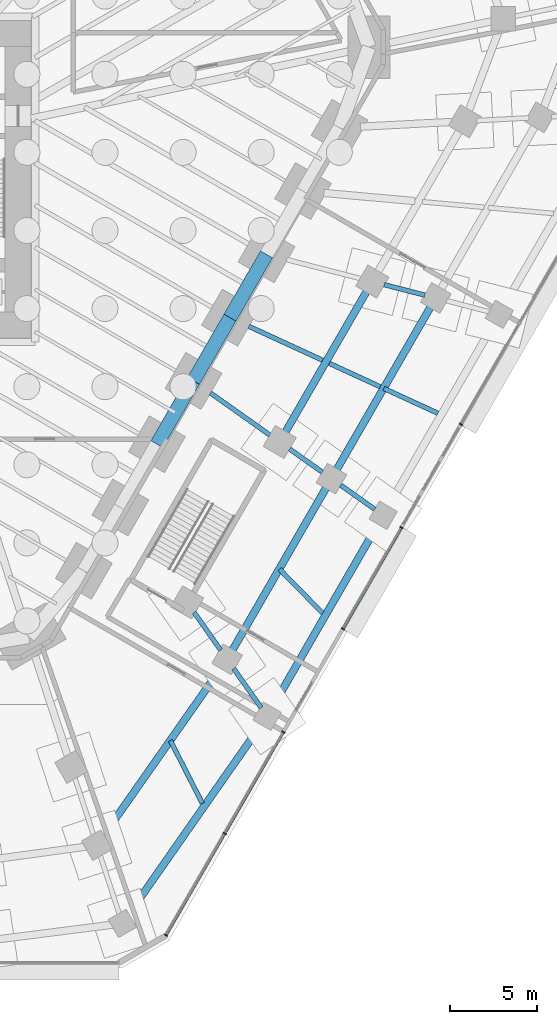
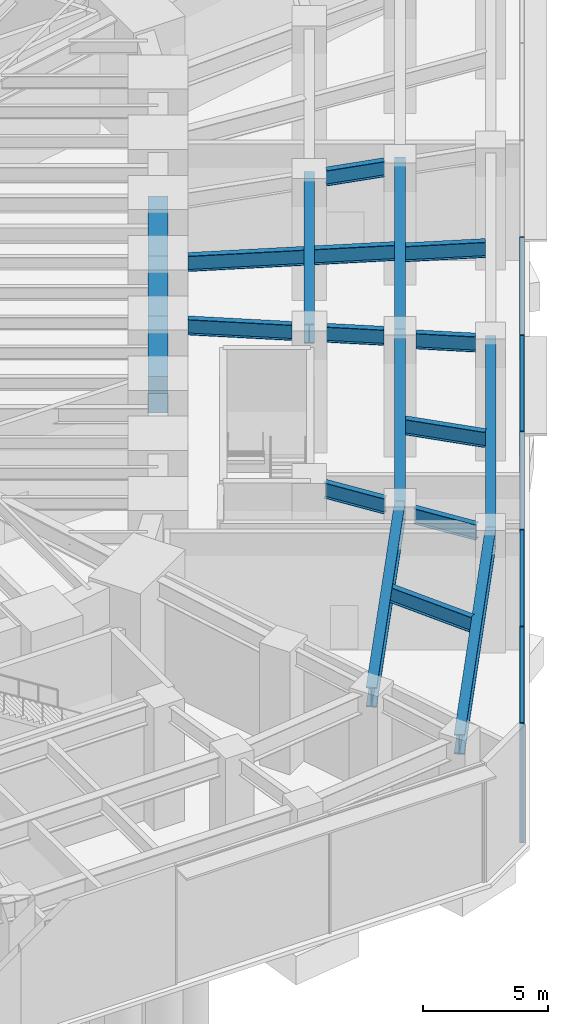
# One storey, part 9 of 34: 20 beams, 9 members, 3 elements without a shape of their own.
"""IFC4 building model written with IfcOpenShell, lengths in metres."""

import ifcopenshell
import ifcopenshell.guid

model = None  # the IFC model being written
_history = None  # IfcOwnerHistory: only IFC2X3 demands one
_inside = {}  # id of a spatial element -> (the spatial element, [elements in it])
_under = {}  # id of a project, library or spatial element -> (it, [spatial elements below it])
_declared = {}  # id of a project -> (the project, [libraries it declares])
_typed = {}  # id of a type object -> (the type object, [elements of that type])
_made_of = {}  # id of a material, layer set ... -> (it, [elements and type objects made of it])


def new_model(schema):
    """Start an empty IFC model of exactly this schema.

    Asked for "IFC4X3", IfcOpenShell would pick the latest addendum, in which some entities
    have other attributes; the version numbers below select the first issue.
    IFC2X3 requires an IfcOwnerHistory on every rooted entity: one is made here for all.
    """
    global model, _history
    if schema == "IFC4X3":
        model = ifcopenshell.file(schema_version=(4, 3, 0, 0))
    else:
        model = ifcopenshell.file(schema=schema)
    _inside.clear()
    _under.clear()
    _declared.clear()
    _typed.clear()
    _made_of.clear()
    _history = None
    if model.schema == "IFC2X3":
        org = make("IfcOrganization", Name="unknown")
        user = make(
            "IfcPersonAndOrganization",
            ThePerson=make("IfcPerson", FamilyName="unknown"),
            TheOrganization=org,
        )
        app = make(
            "IfcApplication",
            ApplicationDeveloper=org,
            Version="unknown",
            ApplicationFullName="unknown",
            ApplicationIdentifier="unknown",
        )
        _history = make(
            "IfcOwnerHistory",
            OwningUser=user,
            OwningApplication=app,
            ChangeAction="ADDED",
            CreationDate=0,
        )
    return model


def make(cls, **values):
    """One entity of the class cls with the attributes given. An attribute that is None is left unset."""
    return model.create_entity(
        cls, **{name: value for name, value in values.items() if value is not None}
    )


def rooted(cls, **values):
    """An entity with a GlobalId (a new one), such as an element, a storey or a relation."""
    return make(cls, GlobalId=ifcopenshell.guid.new(), OwnerHistory=_history, **values)


def si_unit(unit_type, name, prefix=None):
    """IfcSIUnit, for example si_unit("LENGTHUNIT", "METRE", prefix="MILLI")."""
    return make("IfcSIUnit", UnitType=unit_type, Prefix=prefix, Name=name)


def assignment(units):
    """IfcUnitAssignment: the units of a project."""
    return None if units is None else make("IfcUnitAssignment", Units=units)


def point(xyz):
    """IfcCartesianPoint."""
    return None if xyz is None else make("IfcCartesianPoint", Coordinates=xyz)


def direction(xyz):
    """IfcDirection."""
    return None if xyz is None else make("IfcDirection", DirectionRatios=xyz)


def frame(location, z_axis=None, x_axis=None):
    """IfcAxis2Placement3D, a coordinate frame: its origin and axes. An axis left out is left unset."""
    return make(
        "IfcAxis2Placement3D",
        Location=point(location),
        Axis=direction(z_axis),
        RefDirection=direction(x_axis),
    )


def frame_2d(location, x_axis=None):
    """IfcAxis2Placement2D, a coordinate frame in the plane: its origin and x axis."""
    return make(
        "IfcAxis2Placement2D", Location=point(location), RefDirection=direction(x_axis)
    )


def origin():
    """The frame at (0, 0, 0) with its axes left unset."""
    return frame((0.0, 0.0, 0.0))


def origin_2d():
    """The frame at (0, 0) in the plane with its x axis left unset."""
    return frame_2d((0.0, 0.0))


def place(relative_to, where):
    """IfcLocalPlacement: puts the frame where relative to a parent placement (None: the world)."""
    return make(
        "IfcLocalPlacement", PlacementRelTo=relative_to, RelativePlacement=where
    )


def context(
    kind, dimensions, precision=None, world=None, true_north=None, identifier=None
):
    """IfcGeometricRepresentationContext, for example the 3D "Model" context."""
    return make(
        "IfcGeometricRepresentationContext",
        ContextIdentifier=identifier,
        ContextType=kind,
        CoordinateSpaceDimension=dimensions,
        Precision=precision,
        WorldCoordinateSystem=world,
        TrueNorth=true_north,
    )


def subcontext(parent, identifier, kind, view, scale=None):
    """IfcGeometricRepresentationSubContext, for example "Body" below "Model"."""
    return make(
        "IfcGeometricRepresentationSubContext",
        ContextIdentifier=identifier,
        ContextType=kind,
        ParentContext=parent,
        TargetScale=scale,
        TargetView=view,
    )


def project(units=None, contexts=None):
    """IfcProject with its units and contexts."""
    return rooted(
        "IfcProject",
        Name="project",
        RepresentationContexts=contexts,
        UnitsInContext=assignment(units),
    )


def spatial(cls, under=None, at=None, **own):
    """A site, building, storey or space (cls), placed at a placement, below another one or the project."""
    s = rooted(cls, ObjectPlacement=at, **own)
    if under is not None:
        _under.setdefault(under.id(), (under, []))[1].append(s)
    return s


def profile(cls, at=None, kind="AREA", **sizes):
    """A parametric profile (cls). Its sizes go by their IFC names, for example OverallWidth=200.0."""
    return make(cls, ProfileType=kind, Position=at, **sizes)


def rectangle(**sizes):
    """IfcRectangleProfileDef."""
    return profile("IfcRectangleProfileDef", **sizes)


def i_section(**sizes):
    """IfcIShapeProfileDef."""
    return profile("IfcIShapeProfileDef", **sizes)


def extrude(swept, where, along, depth):
    """IfcExtrudedAreaSolid: the profile swept, set in the frame where, extruded along a direction by depth."""
    return make(
        "IfcExtrudedAreaSolid",
        SweptArea=swept,
        Position=where,
        ExtrudedDirection=direction(along),
        Depth=depth,
    )


def shape(context_of_items, identifier, shape_type, items):
    """IfcShapeRepresentation: the items that make up one representation, for example the "Body"."""
    return make(
        "IfcShapeRepresentation",
        ContextOfItems=context_of_items,
        RepresentationIdentifier=identifier,
        RepresentationType=shape_type,
        Items=items,
    )


def material(Name=None, Category=None):
    """IfcMaterial."""
    return make("IfcMaterial", Name=Name, Category=Category)


def material_profile(
    of_material, cross_section, Name=None, Category=None, Priority=None
):
    """IfcMaterialProfile: a cross section and its material."""
    return make(
        "IfcMaterialProfile",
        Name=Name,
        Material=of_material,
        Profile=cross_section,
        Priority=Priority,
        Category=Category,
    )


def profile_set(profiles, Name=None, composite=None):
    """IfcMaterialProfileSet."""
    return make(
        "IfcMaterialProfileSet",
        Name=Name,
        MaterialProfiles=profiles,
        CompositeProfile=composite,
    )


def made_of(thing, what):
    """Note that an element or type object is made of a material, layer set ...; save() writes the relation."""
    if what is not None:
        _made_of.setdefault(what.id(), (what, []))[1].append(thing)
    return thing


def type_object(cls, material=None, **own):
    """A type object (cls), such as IfcWallType, which elements share."""
    return made_of(rooted(cls, **own), material)


def element(
    cls,
    number,
    at=None,
    inside=None,
    cuts=None,
    type_object=None,
    material=None,
    context=None,
    identifier="Body",
    shape_type=None,
    held_by="IfcProductDefinitionShape",
    body=None,
    shapes=None,
    **own,
):
    """One element of the class cls, such as IfcWall. Its Tag is "e" and its number.

    at: its placement. inside: the storey or other place that contains it. cuts: it is an
    opening in that element (IfcRelVoidsElement). A single representation is given by context,
    identifier, shape_type and body (its items); several are given by shapes. held_by: the class
    of the entity that holds the representations. save() writes the other relations.
    """
    e = rooted(cls, Tag="e%d" % number, ObjectPlacement=at, **own)
    if body is not None:
        shapes = [shape(context, identifier, shape_type, body)]
    if shapes is not None:
        e.Representation = make(held_by, Representations=shapes)
    if inside is not None:
        _inside.setdefault(inside.id(), (inside, []))[1].append(e)
    if cuts is not None:
        rooted(
            "IfcRelVoidsElement", RelatingBuildingElement=cuts, RelatedOpeningElement=e
        )
    if type_object is not None:
        _typed.setdefault(type_object.id(), (type_object, []))[1].append(e)
    return made_of(e, material)


def aggregate(whole, parts):
    """IfcRelAggregates: a whole, such as a stair, and the parts it consists of."""
    return rooted("IfcRelAggregates", RelatingObject=whole, RelatedObjects=parts)


def save(model, path):
    """Write the relations noted so far, then the file.

    IfcRelAggregates (storeys below a building ...), IfcRelContainedInSpatialStructure (elements
    in a storey), IfcRelDefinesByType, IfcRelAssociatesMaterial and IfcRelDeclares: one each for
    every whole, place, type object, material and project.
    """
    for whole, parts in _under.values():
        aggregate(whole, parts)
    for where, things in _inside.values():
        rooted(
            "IfcRelContainedInSpatialStructure",
            RelatedElements=things,
            RelatingStructure=where,
        )
    for kind, things in _typed.values():
        rooted("IfcRelDefinesByType", RelatedObjects=things, RelatingType=kind)
    for what, things in _made_of.values():
        rooted("IfcRelAssociatesMaterial", RelatedObjects=things, RelatingMaterial=what)
    for by, libraries in _declared.values():
        rooted("IfcRelDeclares", RelatingContext=by, RelatedDefinitions=libraries)
    model.write(path)


model = new_model("IFC4")

# Units and contexts
model_context = context("Model", 3, precision=1e-05, world=origin(), true_north=direction((0.0, 1.0)))
body_context = subcontext(model_context, "Body", "Model", "MODEL_VIEW")
ifc_project = project(units=[si_unit("LENGTHUNIT", "METRE"), si_unit("AREAUNIT", "SQUARE_METRE"), si_unit("VOLUMEUNIT", "CUBIC_METRE"), si_unit("PLANEANGLEUNIT", "RADIAN"), si_unit("MASSUNIT", "GRAM", prefix="KILO")], contexts=[model_context])

# Site, building, storey
site_placement = place(None, origin())
site = spatial("IfcSite", under=ifc_project, at=site_placement, CompositionType="ELEMENT")
building_placement = place(site_placement, origin())
building = spatial("IfcBuilding", under=site, at=building_placement, Name="Sandreach Pilgrim Tower", CompositionType="ELEMENT")
storey_placement = place(building_placement, origin())
storey = spatial("IfcBuildingStorey", under=building, at=storey_placement, Name="L00", CompositionType="ELEMENT", Elevation=0.0)

# Curtain wall, member
ifc_material_1 = material(Name="Aluminium framed curtain wall", Category="aluminium")
curtain_wall_type = type_object("IfcCurtainWallType", Name="Podium storefront curtain wall", PredefinedType="NOTDEFINED", material=ifc_material_1)
curtain_wall_1_placement = place(storey_placement, origin())
curtain_wall_1 = element("IfcCurtainWall", 1, at=curtain_wall_1_placement, inside=storey, type_object=curtain_wall_type, Name="CW-P L00 SEA", PredefinedType="NOTDEFINED")
ifc_material_2 = material(Name="Aluminium extrusion", Category="aluminium")
ifc_material_profile_1 = material_profile(ifc_material_2, rectangle(XDim=0.070068359375, YDim=0.199951171875, at=origin_2d()), Name="CW-PM 70X200")
ifc_profile_set_1 = profile_set([ifc_material_profile_1], Name="Aluminium extrusion")
member_type_1 = type_object("IfcMemberType", Name="CW-P mullion", PredefinedType="MULLION", material=ifc_profile_set_1)
member_1_placement = place(storey_placement, frame((34.007080078125, -15.669189453125, 0.0), z_axis=(0.0, 0.0, 1.0), x_axis=(-0.5, -0.866025403784, 0.0)))
member_1 = element("IfcMember", 2, at=member_1_placement, type_object=member_type_1, Name="CW-P mullion 5", PredefinedType="MULLION", context=body_context, shape_type="SweptSolid", body=[
    extrude(rectangle(XDim=0.070068359375, YDim=0.199951171875, at=origin_2d()), origin(), (0.0, 0.0, 1.0), 5.840087890625),
])
aggregate(curtain_wall_1, [member_1])

# Curtain wall, members
curtain_wall_2_placement = place(storey_placement, origin())
curtain_wall_2 = element("IfcCurtainWall", 3, at=curtain_wall_2_placement, inside=storey, type_object=curtain_wall_type, Name="CW-P L00 SEB", PredefinedType="NOTDEFINED")
member_2_placement = place(storey_placement, frame((30.573486328125, -21.6162109375, 0.0), z_axis=(0.0, 0.0, 1.0), x_axis=(-0.5, -0.866025403784, 0.0)))
member_2 = element("IfcMember", 4, at=member_2_placement, type_object=member_type_1, Name="CW-P mullion 1", PredefinedType="MULLION", context=body_context, shape_type="SweptSolid", body=[
    extrude(rectangle(XDim=0.070068359375, YDim=0.199951171875, at=origin_2d()), origin(), (0.0, 0.0, 1.0), 5.840087890625),
])
member_3_placement = place(storey_placement, frame((27.2099609375, -27.442138671875, 0.0), z_axis=(0.0, 0.0, 1.0), x_axis=(-0.5, -0.866025403784, 0.0)))
member_3 = element("IfcMember", 5, at=member_3_placement, type_object=member_type_1, Name="CW-P mullion 2", PredefinedType="MULLION", context=body_context, shape_type="SweptSolid", body=[
    extrude(rectangle(XDim=0.070068359375, YDim=0.199951171875, at=origin_2d()), origin(), (0.0, 0.0, 1.0), 5.840087890625),
])

curtain_wall_3_placement = place(storey_placement, origin())
curtain_wall_3 = element("IfcCurtainWall", 6, at=curtain_wall_3_placement, inside=storey, type_object=curtain_wall_type, Name="CW-P L00 SEC", PredefinedType="NOTDEFINED")
member_4_placement = place(storey_placement, frame((23.7763671875, -33.38916015625, 0.0), z_axis=(0.0, 0.0, 1.0), x_axis=(-0.5, -0.866025403784, 0.0)))
member_4 = element("IfcMember", 7, at=member_4_placement, type_object=member_type_1, Name="CW-P mullion 1", PredefinedType="MULLION", context=body_context, shape_type="SweptSolid", body=[
    extrude(rectangle(XDim=0.070068359375, YDim=0.199951171875, at=origin_2d()), origin(), (0.0, 0.0, 1.0), 5.840087890625),
])
member_5_placement = place(storey_placement, frame((20.395263671875, -39.245361328125, 0.0), z_axis=(0.0, 0.0, 1.0), x_axis=(-0.5, -0.866025403784, 0.0)))
member_5 = element("IfcMember", 8, at=member_5_placement, type_object=member_type_1, Name="CW-P mullion 2", PredefinedType="MULLION", context=body_context, shape_type="SweptSolid", body=[
    extrude(rectangle(XDim=0.070068359375, YDim=0.199951171875, at=origin_2d()), origin(), (0.0, 0.0, 1.0), 5.840087890625),
])
member_6_placement = place(storey_placement, frame((17.01416015625, -45.1015625, 0.0), z_axis=(0.0, 0.0, 1.0), x_axis=(-0.5, -0.866025403784, 0.0)))
member_6 = element("IfcMember", 9, at=member_6_placement, type_object=member_type_1, Name="CW-P mullion 3", PredefinedType="MULLION", context=body_context, shape_type="SweptSolid", body=[
    extrude(rectangle(XDim=0.070068359375, YDim=0.199951171875, at=origin_2d()), origin(), (0.0, 0.0, 1.0), 5.840087890625),
])

# Member
ifc_material_3 = material(Name="Aluminium extrusion", Category="aluminium")
ifc_material_profile_2 = material_profile(ifc_material_3, rectangle(XDim=0.159912109375, YDim=0.070068359375, at=origin_2d()), Name="CW-PT 160X70")
ifc_profile_set_2 = profile_set([ifc_material_profile_2], Name="Aluminium extrusion")
member_type_2 = type_object("IfcMemberType", Name="CW-P transom", PredefinedType="USERDEFINED", material=ifc_profile_set_2)
member_7_placement = place(storey_placement, frame((30.555908203125, -21.646728515625, 5.804931640625), z_axis=(-0.500012397847, -0.866018245766, 0.0), x_axis=(0.866018245766, -0.500012397847, 0.0)))
member_7 = element("IfcMember", 10, at=member_7_placement, type_object=member_type_2, Name="CW-P head transom 1", ObjectType="TRANSOM", PredefinedType="USERDEFINED", context=body_context, shape_type="SweptSolid", body=[
    extrude(rectangle(XDim=0.159912109375, YDim=0.070068359375, at=origin_2d()), origin(), (0.0, 0.0, 1.0), 6.656982421875),
])

aggregate(curtain_wall_2, [member_2, member_3, member_7])

member_8_placement = place(storey_placement, frame((23.7587890625, -33.41943359375, 5.804931640625), z_axis=(-0.499980353426, -0.866036746442, 0.0), x_axis=(0.866036746442, -0.499980353426, 0.0)))
member_8 = element("IfcMember", 11, at=member_8_placement, type_object=member_type_2, Name="CW-P head transom 1", ObjectType="TRANSOM", PredefinedType="USERDEFINED", context=body_context, shape_type="SweptSolid", body=[
    extrude(rectangle(XDim=0.159912109375, YDim=0.070068359375, at=origin_2d()), origin(), (0.0, 0.0, 1.0), 6.692138671875),
])

member_9_placement = place(storey_placement, frame((20.377685546875, -39.275634765625, 5.804931640625), z_axis=(-0.499980353426, -0.866036746442, 0.0), x_axis=(0.866036746442, -0.499980353426, 0.0)))
member_9 = element("IfcMember", 12, at=member_9_placement, type_object=member_type_2, Name="CW-P head transom 2", ObjectType="TRANSOM", PredefinedType="USERDEFINED", context=body_context, shape_type="SweptSolid", body=[
    extrude(rectangle(XDim=0.159912109375, YDim=0.070068359375, at=origin_2d()), origin(), (0.0, 0.0, 1.0), 6.692138671875),
])

aggregate(curtain_wall_3, [member_4, member_5, member_6, member_8, member_9])

# Beams
ifc_material_4 = material(Name="Steel ASTM A992 Grade 50", Category="steel")
ifc_material_profile_3 = material_profile(ifc_material_4, i_section(OverallWidth=0.2666015625, OverallDepth=0.7568359375, WebThickness=0.013916015625, FlangeThickness=0.019287109375, at=origin_2d()), Name="W30X108")
ifc_profile_set_3 = profile_set([ifc_material_profile_3], Name="Steel ASTM A992 Grade 50")
beam_type_1 = type_object("IfcBeamType", Name="Podium beam W30X108", PredefinedType="BEAM", material=ifc_profile_set_3)
beam_1_placement = place(storey_placement, frame((21.791748046875, -10.02294921875, 5.46142578125), z_axis=(0.908519391359, -0.417842692319, 0.0), x_axis=(0.417842692319, 0.908519391359, 0.0)))
element("IfcBeam", 13, at=beam_1_placement, inside=storey, type_object=beam_type_1, Name="BM L00 PR125-17", PredefinedType="BEAM", context=body_context, shape_type="SweptSolid", body=[
    extrude(i_section(OverallWidth=0.2666015625, OverallDepth=0.7568359375, WebThickness=0.013916015625, FlangeThickness=0.019287109375, at=origin_2d()), origin(), (0.0, 0.0, 1.0), 4.676025390625),
])
beam_2_placement = place(storey_placement, frame((19.575927734375, -13.86083984375, 5.46142578125), z_axis=(0.81612528813, -0.577874998659, 0.0), x_axis=(0.577874998659, 0.81612528813, 0.0)))
element("IfcBeam", 14, at=beam_2_placement, inside=storey, type_object=beam_type_1, Name="BM L00 PR125-18", PredefinedType="BEAM", context=body_context, shape_type="SweptSolid", body=[
    extrude(i_section(OverallWidth=0.2666015625, OverallDepth=0.7568359375, WebThickness=0.013916015625, FlangeThickness=0.019287109375, at=origin_2d()), origin(), (0.0, 0.0, 1.0), 4.18798828125),
])
beam_3_placement = place(storey_placement, frame((29.577880859375, -7.6201171875, 5.46142578125), z_axis=(0.968395055224, -0.249421364395, 0.0), x_axis=(0.249421364395, 0.968395055224, 0.0)))
element("IfcBeam", 15, at=beam_3_placement, inside=storey, type_object=beam_type_1, Name="BM L00 PR140-16", PredefinedType="BEAM", context=body_context, shape_type="SweptSolid", body=[
    extrude(i_section(OverallWidth=0.2666015625, OverallDepth=0.7568359375, WebThickness=0.013916015625, FlangeThickness=0.019287109375, at=origin_2d()), origin(), (0.0, 0.0, 1.0), 2.425537109375),
])
beam_4_placement = place(storey_placement, frame((26.42529296875, -12.154052734375, 5.46142578125), z_axis=(0.908520891357, -0.417839430843, 0.0), x_axis=(0.417839430843, 0.908520891357, 0.0)))
element("IfcBeam", 16, at=beam_4_placement, inside=storey, type_object=beam_type_1, Name="BM L00 PR140-17", PredefinedType="BEAM", context=body_context, shape_type="SweptSolid", body=[
    extrude(i_section(OverallWidth=0.2666015625, OverallDepth=0.7568359375, WebThickness=0.013916015625, FlangeThickness=0.019287109375, at=origin_2d()), origin(), (0.0, 0.0, 1.0), 3.2275390625),
])
beam_5_placement = place(storey_placement, frame((24.13671875, -17.090087890625, 5.46142578125), z_axis=(0.816161980963, -0.577823174363, 0.0), x_axis=(0.577823174363, 0.816161980963, 0.0)))
element("IfcBeam", 17, at=beam_5_placement, inside=storey, type_object=beam_type_1, Name="BM L00 PR140-18", PredefinedType="BEAM", context=body_context, shape_type="SweptSolid", body=[
    extrude(i_section(OverallWidth=0.2666015625, OverallDepth=0.7568359375, WebThickness=0.013916015625, FlangeThickness=0.019287109375, at=origin_2d()), origin(), (0.0, 0.0, 1.0), 2.302734375),
])
beam_6_placement = place(storey_placement, frame((18.63330078125, -26.498046875, 5.46142578125), z_axis=(0.575161395931, -0.8180399554, 0.0), x_axis=(0.8180399554, 0.575161395931, 0.0)))
element("IfcBeam", 18, at=beam_6_placement, inside=storey, type_object=beam_type_1, Name="BM L00 PR140-20", PredefinedType="BEAM", context=body_context, shape_type="SweptSolid", body=[
    extrude(i_section(OverallWidth=0.2666015625, OverallDepth=0.7568359375, WebThickness=0.013916015625, FlangeThickness=0.019287109375, at=origin_2d()), origin(), (0.0, 0.0, 1.0), 2.65966796875),
])
beam_7_placement = place(storey_placement, frame((29.5654296875, -13.598388671875, 5.37158203125), z_axis=(0.908526182593, -0.417827925757, 0.0), x_axis=(0.417827925757, 0.908526182593, 0.0)))
element("IfcBeam", 19, at=beam_7_placement, inside=storey, type_object=beam_type_1, Name="BM L00 PR155-17", PredefinedType="BEAM", context=body_context, shape_type="SweptSolid", body=[
    extrude(i_section(OverallWidth=0.2666015625, OverallDepth=0.7568359375, WebThickness=0.013916015625, FlangeThickness=0.019287109375, at=origin_2d()), origin(), (0.0, 0.0, 1.0), 3.424072265625),
])
beam_8_placement = place(storey_placement, frame((27.0771484375, -19.171875, 5.37158203125), z_axis=(0.816088375442, -0.577927126434, 0.0), x_axis=(0.577927126434, 0.816088375442, 0.0)))
element("IfcBeam", 20, at=beam_8_placement, inside=storey, type_object=beam_type_1, Name="BM L00 PR155-18", PredefinedType="BEAM", context=body_context, shape_type="SweptSolid", body=[
    extrude(i_section(OverallWidth=0.2666015625, OverallDepth=0.7568359375, WebThickness=0.013916015625, FlangeThickness=0.019287109375, at=origin_2d()), origin(), (0.0, 0.0, 1.0), 2.40283203125),
])
beam_9_placement = place(storey_placement, frame((23.552490234375, -24.011962890625, 5.37158203125), z_axis=(0.700259269622, -0.713888615477, 0.0), x_axis=(0.713888615477, 0.700259269622, 0.0)))
element("IfcBeam", 21, at=beam_9_placement, inside=storey, type_object=beam_type_1, Name="BM L00 PR155-19", PredefinedType="BEAM", context=body_context, shape_type="SweptSolid", body=[
    extrude(i_section(OverallWidth=0.2666015625, OverallDepth=0.7568359375, WebThickness=0.013916015625, FlangeThickness=0.019287109375, at=origin_2d()), origin(), (0.0, 0.0, 1.0), 3.546630859375),
])
beam_10_placement = place(storey_placement, frame((20.910888671875, -29.737060546875, 5.37158203125), z_axis=(0.575171201557, -0.818033061006, 0.0), x_axis=(0.818033061006, 0.575171201557, 0.0)))
element("IfcBeam", 22, at=beam_10_placement, inside=storey, type_object=beam_type_1, Name="BM L00 PR155-20", PredefinedType="BEAM", context=body_context, shape_type="SweptSolid", body=[
    extrude(i_section(OverallWidth=0.2666015625, OverallDepth=0.7568359375, WebThickness=0.013916015625, FlangeThickness=0.019287109375, at=origin_2d()), origin(), (0.0, 0.0, 1.0), 2.759521484375),
])
beam_11_placement = place(storey_placement, frame((17.26806640625, -33.891845703125, 5.37158203125), z_axis=(0.453974530818, -0.89101466058, 0.0), x_axis=(0.89101466058, 0.453974530818, 0.0)))
element("IfcBeam", 23, at=beam_11_placement, inside=storey, type_object=beam_type_1, Name="BM L00 PR155-21", PredefinedType="BEAM", context=body_context, shape_type="SweptSolid", body=[
    extrude(i_section(OverallWidth=0.2666015625, OverallDepth=0.7568359375, WebThickness=0.013916015625, FlangeThickness=0.019287109375, at=origin_2d()), origin(), (0.0, 0.0, 1.0), 4.051025390625),
])
ifc_material_5 = material(Name="Steel ASTM A992 Grade 50", Category="steel")
ifc_material_profile_4 = material_profile(ifc_material_5, i_section(OverallWidth=0.424072265625, OverallDepth=0.947509765625, WebThickness=0.02392578125, FlangeThickness=0.042724609375, at=origin_2d()), Name="W36X302")
ifc_profile_set_4 = profile_set([ifc_material_profile_4], Name="Steel ASTM A992 Grade 50")
beam_type_2 = type_object("IfcBeamType", Name="Podium edge beam W36X302", PredefinedType="BEAM", material=ifc_profile_set_4)
beam_12_placement = place(storey_placement, frame((28.900146484375, -7.4453125, 5.3662109375), z_axis=(-0.499990509939, -0.866030882805, 0.0), x_axis=(0.866030882805, -0.499990509939, 0.0)))
element("IfcBeam", 24, at=beam_12_placement, inside=storey, type_object=beam_type_2, Name="BM L00 PE125-16", PredefinedType="BEAM", context=body_context, shape_type="SweptSolid", body=[
    extrude(i_section(OverallWidth=0.424072265625, OverallDepth=0.947509765625, WebThickness=0.02392578125, FlangeThickness=0.042724609375, at=origin_2d()), origin(), (0.0, 0.0, 1.0), 10.669677734375),
])
ifc_material_6 = material(Name="Steel ASTM A992 Grade 50", Category="steel")
ifc_material_profile_5 = material_profile(ifc_material_6, i_section(OverallWidth=0.4267578125, OverallDepth=0.975341796875, WebThickness=0.031005859375, FlangeThickness=0.055908203125, at=origin_2d()), Name="W36X395")
ifc_profile_set_5 = profile_set([ifc_material_profile_5], Name="Steel ASTM A992 Grade 50")
beam_type_3 = type_object("IfcBeamType", Name="Podium edge beam W36X395", PredefinedType="BEAM", material=ifc_profile_set_5)
for number, where, z_axis, x_axis, name in (
    (25, (32.55615234375, -8.38720703125, 5.352294921875), (-0.499986196583, -0.866033373045, 0.0), (0.866033373045, -0.499986196583, 0.0), "BM L00 PE140-16"),
    (26, (26.546630859375, -18.79638671875, 5.352294921875), (-0.500010226345, -0.866019499521, 0.0), (0.866019499521, -0.500010226345, 0.0), "BM L00 PE140-18"),
):
    element("IfcBeam", number, at=place(storey_placement, frame(where, z_axis=z_axis, x_axis=x_axis)), inside=storey, type_object=beam_type_3, Name=name, PredefinedType="BEAM", context=body_context, shape_type="SweptSolid", body=[
        extrude(i_section(OverallWidth=0.4267578125, OverallDepth=0.975341796875, WebThickness=0.031005859375, FlangeThickness=0.055908203125, at=origin_2d()), origin(), (0.0, 0.0, 1.0), 12.019287109375),
    ])
beam_13_placement = place(storey_placement, frame((20.536865234375, -29.205322265625, 5.352294921875), z_axis=(-0.574032241391, -0.818832697102, 0.0), x_axis=(0.818832697102, -0.574032241391, 0.0)))
element("IfcBeam", 27, at=beam_13_placement, inside=storey, type_object=beam_type_3, Name="BM L00 PE140-20", PredefinedType="BEAM", context=body_context, shape_type="SweptSolid", body=[
    extrude(i_section(OverallWidth=0.4267578125, OverallDepth=0.975341796875, WebThickness=0.031005859375, FlangeThickness=0.055908203125, at=origin_2d()), origin(), (0.0, 0.0, 1.0), 13.07861328125),
])
beam_14_placement = place(storey_placement, frame((29.52783203125, -20.9072265625, 5.26220703125), z_axis=(-0.499996450449, -0.866027453109, 0.0), x_axis=(0.866027453109, -0.499996450449, 0.0)))
element("IfcBeam", 28, at=beam_14_placement, inside=storey, type_object=beam_type_3, Name="BM L00 PE155-18", PredefinedType="BEAM", context=body_context, shape_type="SweptSolid", body=[
    extrude(i_section(OverallWidth=0.4267578125, OverallDepth=0.975341796875, WebThickness=0.031005859375, FlangeThickness=0.055908203125, at=origin_2d()), origin(), (0.0, 0.0, 1.0), 13.369140625),
])
beam_15_placement = place(storey_placement, frame((22.84326171875, -32.4853515625, 5.26220703125), z_axis=(-0.572899635774, -0.819625528721, 0.0), x_axis=(0.819625528721, -0.572899635774, 0.0)))
element("IfcBeam", 29, at=beam_15_placement, inside=storey, type_object=beam_type_3, Name="BM L00 PE155-20", PredefinedType="BEAM", context=body_context, shape_type="SweptSolid", body=[
    extrude(i_section(OverallWidth=0.4267578125, OverallDepth=0.975341796875, WebThickness=0.031005859375, FlangeThickness=0.055908203125, at=origin_2d()), origin(), (0.0, 0.0, 1.0), 14.562744140625),
])
ifc_material_7 = material(Name="Concrete 10000 psi", Category="concrete")
ifc_material_profile_6 = material_profile(ifc_material_7, rectangle(XDim=0.800048828125, YDim=1.800048828125, at=origin_2d()), Name="RC800X1800")
ifc_profile_set_6 = profile_set([ifc_material_profile_6], Name="Concrete 10000 psi")
beam_type_4 = type_object("IfcBeamType", Name="Spandrel beam RC800X1800", PredefinedType="SPANDREL", material=ifc_profile_set_6)
beam_16_placement = place(storey_placement, frame((22.806396484375, -5.87548828125, 4.93994140625), z_axis=(-0.499993523031, -0.866029143232, 0.0), x_axis=(0.866029143232, -0.499993523031, 0.0)))
element("IfcBeam", 30, at=beam_16_placement, inside=storey, type_object=beam_type_4, Name="BM L00 SP16", PredefinedType="SPANDREL", context=body_context, shape_type="SweptSolid", body=[
    extrude(rectangle(XDim=0.800048828125, YDim=1.800048828125, at=origin_2d()), origin(), (0.0, 0.0, 1.0), 4.2099609375),
])
beam_17_placement = place(storey_placement, frame((20.701416015625, -9.521484375, 4.93994140625), z_axis=(-0.50001863446, -0.866014644907, 0.0), x_axis=(0.866014644907, -0.50001863446, 0.0)))
element("IfcBeam", 31, at=beam_17_placement, inside=storey, type_object=beam_type_4, Name="BM L00 SP17", PredefinedType="SPANDREL", context=body_context, shape_type="SweptSolid", body=[
    extrude(rectangle(XDim=0.800048828125, YDim=1.800048828125, at=origin_2d()), origin(), (0.0, 0.0, 1.0), 4.209716796875),
])
beam_18_placement = place(storey_placement, frame((18.596435546875, -13.167236328125, 4.93994140625), z_axis=(-0.499993523031, -0.866029143232, 0.0), x_axis=(0.866029143232, -0.499993523031, 0.0)))
element("IfcBeam", 32, at=beam_18_placement, inside=storey, type_object=beam_type_4, Name="BM L00 SP18", PredefinedType="SPANDREL", context=body_context, shape_type="SweptSolid", body=[
    extrude(rectangle(XDim=0.800048828125, YDim=1.800048828125, at=origin_2d()), origin(), (0.0, 0.0, 1.0), 4.2099609375),
])

save(model, "model.ifc")
